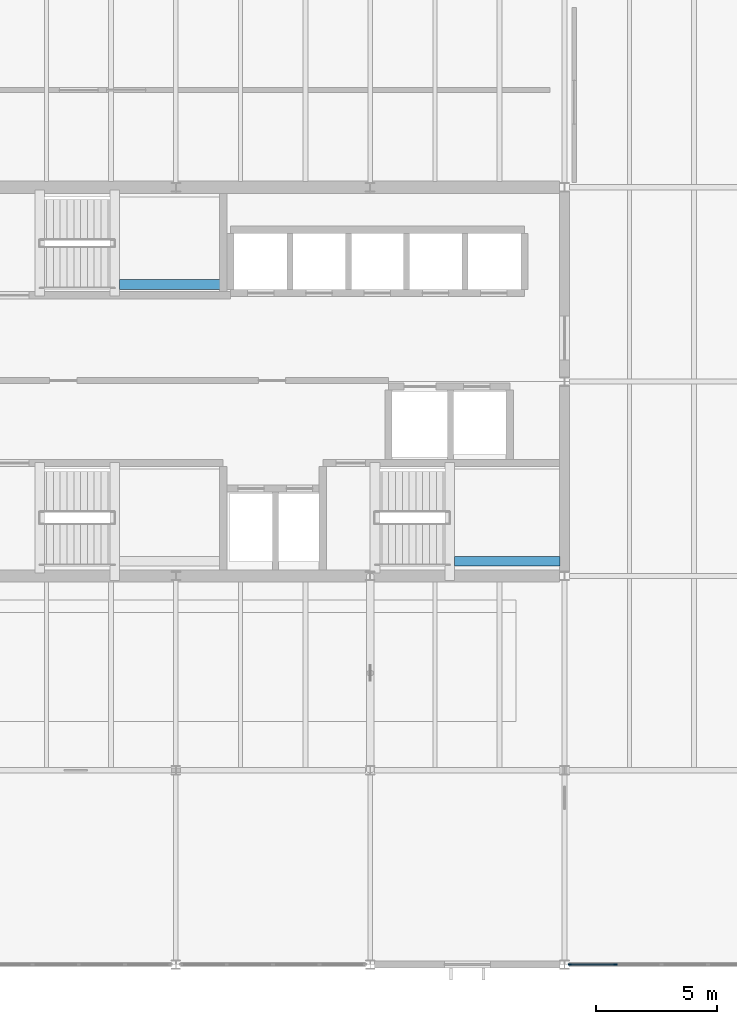
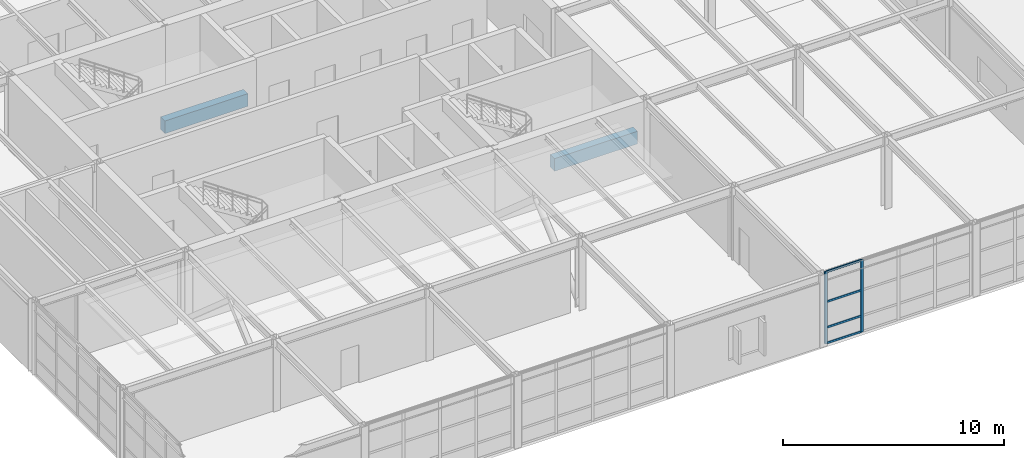
# One storey, part 12 of 50: 6 members, 2 beams, 1 element without a shape of its own.
"""IFC4 building model written with IfcOpenShell, lengths in metres."""

from ifc_helpers import new_model, si_unit, direction, frame, origin, origin_2d, place, context, subcontext, project, spatial, rectangle, extrude, material, layer, layer_set, material_profile, profile_set, type_object, element, aggregate, save


model = new_model("IFC4")

# Units and contexts
model_context = context("Model", 3, precision=1e-05, world=origin(), true_north=direction((0.0, 1.0)))
body_context = subcontext(model_context, "Body", "Model", "MODEL_VIEW")
ifc_project = project(units=[si_unit("LENGTHUNIT", "METRE"), si_unit("AREAUNIT", "SQUARE_METRE"), si_unit("VOLUMEUNIT", "CUBIC_METRE"), si_unit("PLANEANGLEUNIT", "RADIAN"), si_unit("MASSUNIT", "GRAM", prefix="KILO")], contexts=[model_context])

# Site, building, storey
site_placement = place(None, origin())
site = spatial("IfcSite", under=ifc_project, at=site_placement, CompositionType="ELEMENT")
building_placement = place(site_placement, origin())
building = spatial("IfcBuilding", under=site, at=building_placement, Name="Varnela Railside Interchange", CompositionType="ELEMENT")
storey_placement = place(building_placement, frame((0.0, 0.0, 15.39990234375)))
storey = spatial("IfcBuildingStorey", under=building, at=storey_placement, Name="L03", CompositionType="ELEMENT", Elevation=15.39990234375)

# Beams
ifc_material_1 = material(Name="Concrete C40", Category="concrete")
ifc_material_profile_1 = material_profile(ifc_material_1, rectangle(XDim=0.39990234375, YDim=0.699951171875, at=origin_2d()), Name="RC 400x700")
ifc_profile_set_1 = profile_set([ifc_material_profile_1], Name="Concrete C40")
beam_type = type_object("IfcBeamType", Name="Concrete Tie Beam B-01", PredefinedType="BEAM", material=ifc_profile_set_1)
for number, where, z_axis, x_axis, name in (
    (1, (31.47998046875, 54.60009765625, 1.590087890625), (1.0, 0.0, 0.0), (0.0, 1.0, 0.0), "Concrete Tie Beam B-01 (L03) (BM-2351)"),
    (2, (17.679931640625, 66.0, 1.590087890625), (1.0, 0.0, 0.0), (0.0, 1.0, 0.0), "Concrete Tie Beam B-01 (L03) (BM-2352)"),
):
    element("IfcBeam", number, at=place(storey_placement, frame(where, z_axis=z_axis, x_axis=x_axis)), inside=storey, type_object=beam_type, Name=name, PredefinedType="BEAM", context=body_context, shape_type="SweptSolid", body=[
        extrude(rectangle(XDim=0.39990234375, YDim=0.699951171875, at=origin_2d()), origin(), (0.0, 0.0, 1.0), 4.340087890625),
    ])

# Curtain wall, members
ifc_material_2 = material(Name="Aluminium 6063-T6", Category="aluminium")
ifc_layer = layer(ifc_material_2, 0.035888671875)
ifc_layer_set = layer_set([ifc_layer], Name="Aluminium 6063-T6")
curtain_wall_type = type_object("IfcCurtainWallType", Name="Operations Wing Facade Curtain Wall CW-03", PredefinedType="USERDEFINED", material=ifc_layer_set)
curtain_wall_placement = place(storey_placement, origin())
curtain_wall = element("IfcCurtainWall", 3, at=curtain_wall_placement, inside=storey, type_object=curtain_wall_type, Name="Curtain Wall CW-03 (L03) (CW-084)", ObjectType="CURTAIN WALL", PredefinedType="USERDEFINED")
ifc_material_profile_2 = material_profile(ifc_material_2, rectangle(XDim=0.06005859375, YDim=0.139892578125, at=origin_2d()), Name="ALU 60x140")
ifc_profile_set_2 = profile_set([ifc_material_profile_2], Name="Aluminium 6063-T6")
member_type_1 = type_object("IfcMemberType", Name="Curtain Wall Mullion ML-01", PredefinedType="MULLION", material=ifc_profile_set_2)
member_1_placement = place(storey_placement, frame((38.09326171875, 38.0, 0.0), z_axis=(0.0, 0.0, 1.0), x_axis=(0.0, -1.0, 0.0)))
member_1 = element("IfcMember", 4, at=member_1_placement, type_object=member_type_1, Name="CW-03 mullion 4", PredefinedType="MULLION", context=body_context, shape_type="SweptSolid", body=[
    extrude(rectangle(XDim=0.06005859375, YDim=0.139892578125, at=origin_2d()), origin(), (0.0, 0.0, 1.0), 4.0),
])
member_2_placement = place(storey_placement, frame((36.216552734375, 38.0, 0.0), z_axis=(0.0, 0.0, 1.0), x_axis=(0.0, -1.0, 0.0)))
member_2 = element("IfcMember", 5, at=member_2_placement, type_object=member_type_1, Name="CW-03 mullion 5", PredefinedType="MULLION", context=body_context, shape_type="SweptSolid", body=[
    extrude(rectangle(XDim=0.06005859375, YDim=0.139892578125, at=origin_2d()), origin(), (0.0, 0.0, 1.0), 4.0),
])
ifc_material_profile_3 = material_profile(ifc_material_2, rectangle(XDim=0.06005859375, YDim=0.110107421875, at=origin_2d()), Name="ALU 60x110")
ifc_profile_set_3 = profile_set([ifc_material_profile_3], Name="Aluminium 6063-T6")
member_type_2 = type_object("IfcMemberType", Name="Curtain Wall Transom TR-01", PredefinedType="USERDEFINED", material=ifc_profile_set_3)
member_3_placement = place(storey_placement, frame((38.063232421875, 38.0, 0.030029296875), z_axis=(-1.0, 0.0, 0.0), x_axis=(0.0, -1.0, 0.0)))
member_3 = element("IfcMember", 6, at=member_3_placement, type_object=member_type_2, Name="CW-03 transom 4.1", ObjectType="TRANSOM", PredefinedType="USERDEFINED", context=body_context, shape_type="SweptSolid", body=[
    extrude(rectangle(XDim=0.06005859375, YDim=0.110107421875, at=origin_2d()), origin(), (0.0, 0.0, 1.0), 1.816650390625),
])
member_4_placement = place(storey_placement, frame((38.063232421875, 38.0, 0.900146484375), z_axis=(-1.0, 0.0, 0.0), x_axis=(0.0, -1.0, 0.0)))
member_4 = element("IfcMember", 7, at=member_4_placement, type_object=member_type_2, Name="CW-03 transom 4.2", ObjectType="TRANSOM", PredefinedType="USERDEFINED", context=body_context, shape_type="SweptSolid", body=[
    extrude(rectangle(XDim=0.06005859375, YDim=0.110107421875, at=origin_2d()), origin(), (0.0, 0.0, 1.0), 1.816650390625),
])
member_5_placement = place(storey_placement, frame((38.063232421875, 38.0, 2.320068359375), z_axis=(-1.0, 0.0, 0.0), x_axis=(0.0, -1.0, 0.0)))
member_5 = element("IfcMember", 8, at=member_5_placement, type_object=member_type_2, Name="CW-03 transom 4.3", ObjectType="TRANSOM", PredefinedType="USERDEFINED", context=body_context, shape_type="SweptSolid", body=[
    extrude(rectangle(XDim=0.06005859375, YDim=0.110107421875, at=origin_2d()), origin(), (0.0, 0.0, 1.0), 1.816650390625),
])
member_6_placement = place(storey_placement, frame((38.063232421875, 38.0, 3.97021484375), z_axis=(-1.0, 0.0, 0.0), x_axis=(0.0, -1.0, 0.0)))
member_6 = element("IfcMember", 9, at=member_6_placement, type_object=member_type_2, Name="CW-03 transom 4.4", ObjectType="TRANSOM", PredefinedType="USERDEFINED", context=body_context, shape_type="SweptSolid", body=[
    extrude(rectangle(XDim=0.06005859375, YDim=0.110107421875, at=origin_2d()), origin(), (0.0, 0.0, 1.0), 1.816650390625),
])
aggregate(curtain_wall, [member_1, member_2, member_3, member_4, member_5, member_6])

save(model, "model.ifc")
